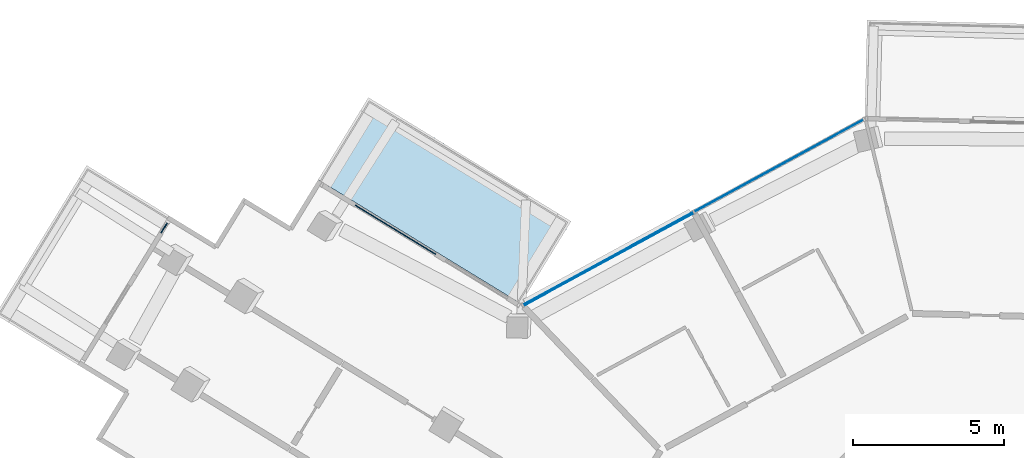
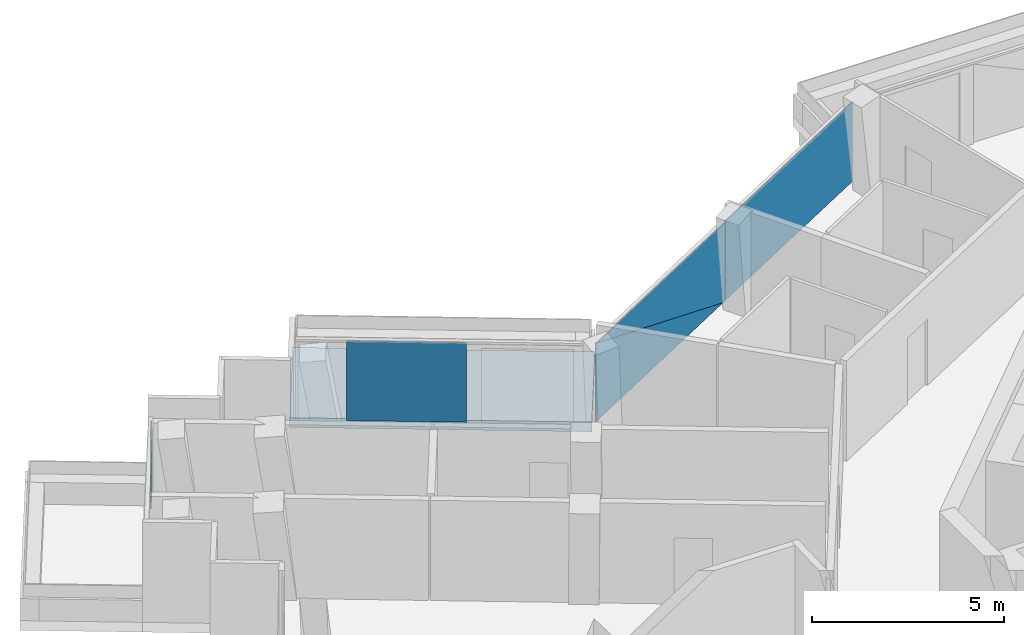
# One storey, part 13 of 24: 5 plates, 1 slab, 3 elements without a shape of their own.
"""IFC4 building model written with IfcOpenShell, lengths in metres."""

from ifc_helpers import new_model, si_unit, direction, frame, origin, origin_2d, place, context, subcontext, project, spatial, polyline, rectangle, outline, extrude, material, layer, layer_set, type_object, element, aggregate, save


model = new_model("IFC4")

# Units and contexts
model_context = context("Model", 3, precision=1e-05, world=origin(), true_north=direction((0.0, 1.0)))
body_context = subcontext(model_context, "Body", "Model", "MODEL_VIEW")
ifc_project = project(units=[si_unit("LENGTHUNIT", "METRE"), si_unit("AREAUNIT", "SQUARE_METRE"), si_unit("VOLUMEUNIT", "CUBIC_METRE"), si_unit("PLANEANGLEUNIT", "RADIAN"), si_unit("MASSUNIT", "GRAM", prefix="KILO")], contexts=[model_context])

# Site, building, storey
site_placement = place(None, origin())
site = spatial("IfcSite", under=ifc_project, at=site_placement, CompositionType="ELEMENT")
building_placement = place(site_placement, origin())
building = spatial("IfcBuilding", under=site, at=building_placement, Name="Verdalira Terraces Hotel", CompositionType="ELEMENT")
storey_placement = place(building_placement, frame((0.0, 0.0, 274.0)))
storey = spatial("IfcBuildingStorey", under=building, at=storey_placement, Name="L67", CompositionType="ELEMENT", Elevation=274.0)

# Slab
ifc_material_1 = material(Name="Precast concrete C40/50", Category="concrete")
ifc_layer_1 = layer(ifc_material_1, 0.31005859375)
ifc_layer_set_1 = layer_set([ifc_layer_1], Name="Balcony deck 310")
slab_type = type_object("IfcSlabType", Name="Balcony deck 310", PredefinedType="FLOOR", material=ifc_layer_set_1)
slab_placement = place(storey_placement, frame((0.0, 0.0, -0.310059)))
element("IfcSlab", 1, at=slab_placement, inside=storey, type_object=slab_type, Name="Balcony deck", PredefinedType="FLOOR", context=body_context, shape_type="SweptSolid", body=[
    extrude(outline(polyline([(-22.362549, 25.040771), (-24.031738, 22.310547), (-17.306396, 18.198975), (-15.637207, 20.929199), (-22.362549, 25.040771)])), origin(), (0.0, 0.0, 1.0), 0.310059),
])

# Curtain wall, plates
ifc_material_2 = material(Name="Clear glass", Category="glass")
ifc_layer_2 = layer(ifc_material_2, 0.14990234375)
ifc_layer_set_2 = layer_set([ifc_layer_2], Name="CW1 curtain wall")
curtain_wall_type_1 = type_object("IfcCurtainWallType", Name="CW1 curtain wall", PredefinedType="NOTDEFINED", material=ifc_layer_set_2)
curtain_wall_1_placement = place(storey_placement, origin())
curtain_wall_1 = element("IfcCurtainWall", 2, at=curtain_wall_1_placement, inside=storey, type_object=curtain_wall_type_1, Name="CW1 curtain wall L67 edge 41", PredefinedType="NOTDEFINED")
ifc_material_3 = material(Name="Clear glass", Category="glass")
ifc_layer_3 = layer(ifc_material_3, 0.028076171875)
ifc_layer_set_3 = layer_set([ifc_layer_3], Name="CW1 glass unit 28")
plate_type_1 = type_object("IfcPlateType", Name="CW1 glass unit 28", PredefinedType="CURTAIN_PANEL", material=ifc_layer_set_3)
plate_1_placement = place(storey_placement, frame((-8.737793, 22.777588, 0.0), z_axis=(0.0, 0.0, 1.0), x_axis=(-0.878316951, -0.478078794, 0.0)))
plate_1 = element("IfcPlate", 3, at=plate_1_placement, type_object=plate_type_1, Name="CW1 glass unit", PredefinedType="CURTAIN_PANEL", context=body_context, shape_type="SweptSolid", body=[
    extrude(rectangle(XDim=6.369873, YDim=0.028076, at=origin_2d()), origin(), (0.0, 0.0, 1.0), 2.524902),
])
plate_2_placement = place(storey_placement, frame((-14.39624, 19.681641, 1.262451), z_axis=(-0.478078794, 0.878316951, 0.0), x_axis=(-0.878316951, -0.478078794, 0.0)))
plate_2 = element("IfcPlate", 4, at=plate_2_placement, type_object=plate_type_1, Name="CW1 glass unit", PredefinedType="CURTAIN_PANEL", context=body_context, shape_type="SweptSolid", body=[
    extrude(outline(polyline([(-3.205078, -1.262451), (3.205078, -1.262451), (3.205078, 1.262451), (-3.205078, -1.262451)])), origin(), (0.0, 0.0, 1.0), 0.028076),
])
plate_3_placement = place(storey_placement, frame((-14.382324, 19.65625, 1.262451), z_axis=(-0.478078794, 0.878316951, 0.0), x_axis=(-0.878316951, -0.478078794, 0.0)))
plate_3 = element("IfcPlate", 5, at=plate_3_placement, type_object=plate_type_1, Name="CW1 glass unit", PredefinedType="CURTAIN_PANEL", context=body_context, shape_type="SweptSolid", body=[
    extrude(outline(polyline([(-3.205078, -1.262451), (3.205078, 1.262451), (-3.205078, 1.262451), (-3.205078, -1.262451)])), origin(), (0.0, 0.0, 1.0), 0.028076),
])
aggregate(curtain_wall_1, [plate_1, plate_2, plate_3])

# Curtain wall, plate
ifc_material_4 = material(Name="Clear glass", Category="glass")
ifc_layer_4 = layer(ifc_material_4, 0.14990234375)
ifc_layer_set_4 = layer_set([ifc_layer_4], Name="CW2 curtain wall")
curtain_wall_type_2 = type_object("IfcCurtainWallType", Name="CW2 curtain wall", PredefinedType="NOTDEFINED", material=ifc_layer_set_4)
curtain_wall_2_placement = place(storey_placement, origin())
curtain_wall_2 = element("IfcCurtainWall", 6, at=curtain_wall_2_placement, inside=storey, type_object=curtain_wall_type_2, Name="CW2 curtain wall L67 edge 0", PredefinedType="NOTDEFINED")
ifc_material_5 = material(Name="Clear glass", Category="glass")
ifc_layer_5 = layer(ifc_material_5, 0.031982421875)
ifc_layer_set_5 = layer_set([ifc_layer_5], Name="CW2 glass unit 32")
plate_type_2 = type_object("IfcPlateType", Name="CW2 glass unit 32", PredefinedType="CURTAIN_PANEL", material=ifc_layer_set_5)
plate_4_placement = place(storey_placement, frame((-21.467529, 20.655029, 0.0), z_axis=(0.0, 0.0, 1.0), x_axis=(-0.853186856, 0.521605396, 0.0)))
plate_4 = element("IfcPlate", 7, at=plate_4_placement, type_object=plate_type_2, Name="CW2 glass unit", PredefinedType="CURTAIN_PANEL", context=body_context, shape_type="SweptSolid", body=[
    extrude(rectangle(XDim=3.122559, YDim=0.031982, at=origin_2d()), origin(), (0.0, 0.0, 1.0), 2.524902),
])
aggregate(curtain_wall_2, [plate_4])

ifc_material_6 = material(Name="Clear glass", Category="glass")
ifc_layer_6 = layer(ifc_material_6, 0.14990234375)
ifc_layer_set_6 = layer_set([ifc_layer_6], Name="CW3 curtain wall")
curtain_wall_type_3 = type_object("IfcCurtainWallType", Name="CW3 curtain wall", PredefinedType="NOTDEFINED", material=ifc_layer_set_6)
curtain_wall_3_placement = place(storey_placement, origin())
curtain_wall_3 = element("IfcCurtainWall", 8, at=curtain_wall_3_placement, inside=storey, type_object=curtain_wall_type_3, Name="CW3 curtain wall L67 edge 5", PredefinedType="NOTDEFINED")
ifc_material_7 = material(Name="Clear glass", Category="glass")
ifc_layer_7 = layer(ifc_material_7, 0.035888671875)
ifc_layer_set_7 = layer_set([ifc_layer_7], Name="CW3 glass unit 36")
plate_type_3 = type_object("IfcPlateType", Name="CW3 glass unit 36", PredefinedType="CURTAIN_PANEL", material=ifc_layer_set_7)
plate_5_placement = place(storey_placement, frame((-29.141357, 20.710938, 0.0), z_axis=(0.0, 0.0, 1.0), x_axis=(-0.521605396, -0.853186856, 0.0)))
plate_5 = element("IfcPlate", 9, at=plate_5_placement, type_object=plate_type_3, Name="CW3 glass unit", PredefinedType="CURTAIN_PANEL", context=body_context, shape_type="SweptSolid", body=[
    extrude(rectangle(XDim=0.399902, YDim=0.035889, at=origin_2d()), origin(), (0.0, 0.0, 1.0), 2.524902),
])
aggregate(curtain_wall_3, [plate_5])

save(model, "model.ifc")
